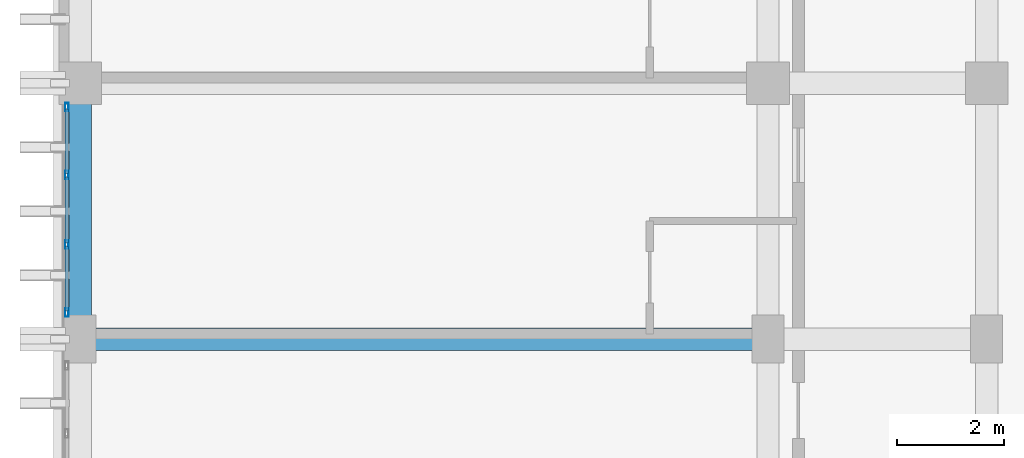
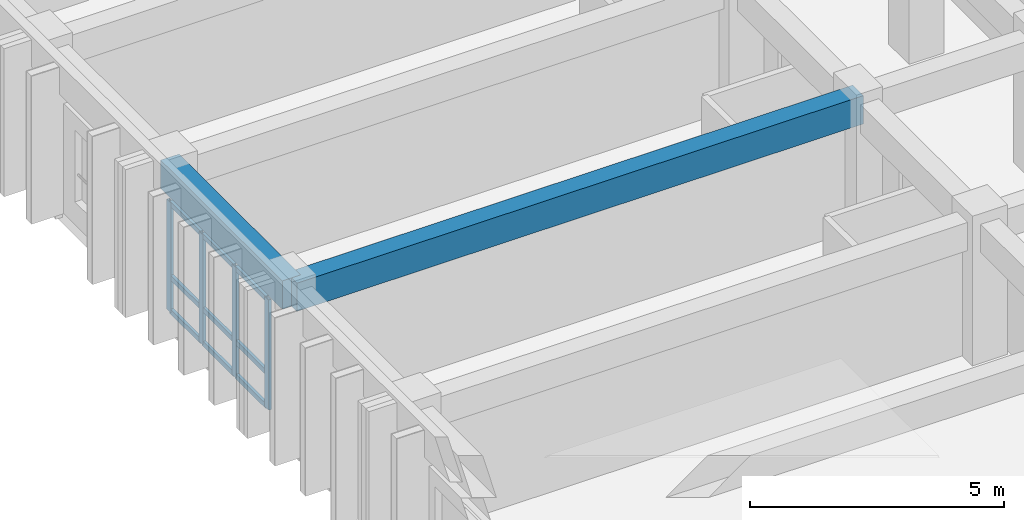
# One storey, part 8 of 82: 13 members, 2 beams, 1 element without a shape of its own.
"""IFC4 building model written with IfcOpenShell, lengths in metres."""

from ifc_helpers import new_model, si_unit, direction, frame, origin, origin_2d, place, context, subcontext, project, spatial, rectangle, hollow_rectangle, extrude, material, layer, layer_set, material_profile, profile_set, type_object, element, aggregate, save


model = new_model("IFC4")

# Units and contexts
model_context = context("Model", 3, precision=1e-05, world=origin(), true_north=direction((0.0, 1.0)))
body_context = subcontext(model_context, "Body", "Model", "MODEL_VIEW")
ifc_project = project(units=[si_unit("LENGTHUNIT", "METRE"), si_unit("AREAUNIT", "SQUARE_METRE"), si_unit("VOLUMEUNIT", "CUBIC_METRE"), si_unit("PLANEANGLEUNIT", "RADIAN"), si_unit("MASSUNIT", "GRAM", prefix="KILO")], contexts=[model_context])

# Site, building, storey
site_placement = place(None, origin())
site = spatial("IfcSite", under=ifc_project, at=site_placement, CompositionType="ELEMENT")
building_placement = place(site_placement, origin())
building = spatial("IfcBuilding", under=site, at=building_placement, Name="Nakhvara Creek Congress Hotel", CompositionType="ELEMENT")
storey_placement = place(building_placement, frame((0.0, 0.0, 21.0)))
storey = spatial("IfcBuildingStorey", under=building, at=storey_placement, Name="L04", CompositionType="ELEMENT", Elevation=21.0)

# Beams
ifc_material_1 = material(Name="Concrete C40/50", Category="concrete")
ifc_material_profile_1 = material_profile(ifc_material_1, rectangle(XDim=0.419921875, YDim=0.679931640625, at=origin_2d()), Name="RC-BM 420x680", Category="LoadBearing")
ifc_profile_set_1 = profile_set([ifc_material_profile_1], Name="Concrete C40/50")
beam_type = type_object("IfcBeamType", Name="BM-RC-420X680", PredefinedType="BEAM", material=ifc_profile_set_1)
beam_1_placement = place(storey_placement, frame((149.449951171875, 33.60009765625, 3.0), z_axis=(0.0, 1.0, 0.0), x_axis=(-1.0, 0.0, 0.0)))
element("IfcBeam", 1, at=beam_1_placement, inside=storey, type_object=beam_type, Name="Beam B11-L04-1915", PredefinedType="BEAM", context=body_context, shape_type="SweptSolid", body=[
    extrude(rectangle(XDim=0.419921875, YDim=0.679931640625, at=origin_2d()), origin(), (0.0, 0.0, 1.0), 4.7998046875),
])
beam_2_placement = place(storey_placement, frame((149.449951171875, 33.60009765625, 3.0), z_axis=(1.0, 0.0, 0.0), x_axis=(0.0, 1.0, 0.0)))
element("IfcBeam", 2, at=beam_2_placement, inside=storey, type_object=beam_type, Name="Beam B11-L04-2030", PredefinedType="BEAM", context=body_context, shape_type="SweptSolid", body=[
    extrude(rectangle(XDim=0.419921875, YDim=0.679931640625, at=origin_2d()), origin(), (0.0, 0.0, 1.0), 12.900146484375),
])

# Curtain wall, members
ifc_material_2 = material(Name="Bronze-anodised aluminium AW-6063-T6 and double-silver low-E glass", Category="aluminium")
ifc_layer = layer(ifc_material_2, 0.199951171875)
ifc_layer_set = layer_set([ifc_layer], Name="Bronze-anodised aluminium AW-6063-T6 and double-silver low-E glass")
curtain_wall_type = type_object("IfcCurtainWallType", Name="CW-HTL-UNIT", PredefinedType="USERDEFINED", material=ifc_layer_set)
curtain_wall_placement = place(storey_placement, origin())
curtain_wall = element("IfcCurtainWall", 3, at=curtain_wall_placement, inside=storey, type_object=curtain_wall_type, Name="Curtain Wall CW177", ObjectType="UNITISED", PredefinedType="USERDEFINED")
ifc_material_3 = material(Name="Bronze-anodised aluminium AW-6063-T6", Category="aluminium")
ifc_material_profile_2 = material_profile(ifc_material_3, hollow_rectangle(XDim=0.06494140625, YDim=0.159912109375, WallThickness=0.00390625, at=origin_2d()), Name="ALU-MULL 65x160x4", Category="LoadBearing")
ifc_profile_set_2 = profile_set([ifc_material_profile_2], Name="Bronze-anodised aluminium AW-6063-T6")
member_type_1 = type_object("IfcMemberType", Name="CW-MULL-160", PredefinedType="MULLION", material=ifc_profile_set_2)
member_1_placement = place(storey_placement, frame((149.199951171875, 34.097412109375, 0.0), z_axis=(0.0, 0.0, 1.0), x_axis=(-1.0, 0.0, 0.0)))
member_1 = element("IfcMember", 4, at=member_1_placement, type_object=member_type_1, Name="CW177 mullion 1", PredefinedType="MULLION", context=body_context, shape_type="SweptSolid", body=[
    extrude(hollow_rectangle(XDim=0.06494140625, YDim=0.159912109375, WallThickness=0.00390625, at=origin_2d()), origin(), (0.0, 0.0, 1.0), 2.652099609375),
])
member_2_placement = place(storey_placement, frame((149.199951171875, 35.37158203125, 0.0), z_axis=(0.0, 0.0, 1.0), x_axis=(-1.0, 0.0, 0.0)))
member_2 = element("IfcMember", 5, at=member_2_placement, type_object=member_type_1, Name="CW177 mullion 2", PredefinedType="MULLION", context=body_context, shape_type="SweptSolid", body=[
    extrude(hollow_rectangle(XDim=0.06494140625, YDim=0.159912109375, WallThickness=0.00390625, at=origin_2d()), origin(), (0.0, 0.0, 1.0), 2.652099609375),
])
member_3_placement = place(storey_placement, frame((149.199951171875, 36.67822265625, 0.0), z_axis=(0.0, 0.0, 1.0), x_axis=(-1.0, 0.0, 0.0)))
member_3 = element("IfcMember", 6, at=member_3_placement, type_object=member_type_1, Name="CW177 mullion 3", PredefinedType="MULLION", context=body_context, shape_type="SweptSolid", body=[
    extrude(hollow_rectangle(XDim=0.06494140625, YDim=0.159912109375, WallThickness=0.00390625, at=origin_2d()), origin(), (0.0, 0.0, 1.0), 2.652099609375),
])
member_4_placement = place(storey_placement, frame((149.199951171875, 37.952392578125, 0.0), z_axis=(0.0, 0.0, 1.0), x_axis=(-1.0, 0.0, 0.0)))
member_4 = element("IfcMember", 7, at=member_4_placement, type_object=member_type_1, Name="CW177 mullion 4", PredefinedType="MULLION", context=body_context, shape_type="SweptSolid", body=[
    extrude(hollow_rectangle(XDim=0.06494140625, YDim=0.159912109375, WallThickness=0.00390625, at=origin_2d()), origin(), (0.0, 0.0, 1.0), 2.652099609375),
])
ifc_material_profile_3 = material_profile(ifc_material_3, hollow_rectangle(XDim=0.06494140625, YDim=0.1201171875, WallThickness=0.00390625, at=origin_2d()), Name="ALU-TRAN 65x120x4", Category="LoadBearing")
ifc_profile_set_3 = profile_set([ifc_material_profile_3], Name="Bronze-anodised aluminium AW-6063-T6")
member_type_2 = type_object("IfcMemberType", Name="CW-TRAN-120", PredefinedType="USERDEFINED", material=ifc_profile_set_3)
member_5_placement = place(storey_placement, frame((149.199951171875, 34.1298828125, 0.032470703125), z_axis=(0.0, 1.0, 0.0), x_axis=(-1.0, 0.0, 0.0)))
member_5 = element("IfcMember", 8, at=member_5_placement, type_object=member_type_2, Name="CW177 transom 1.1", ObjectType="TRANSOM", PredefinedType="USERDEFINED", context=body_context, shape_type="SweptSolid", body=[
    extrude(hollow_rectangle(XDim=0.06494140625, YDim=0.1201171875, WallThickness=0.00390625, at=origin_2d()), origin(), (0.0, 0.0, 1.0), 1.209228515625),
])
member_6_placement = place(storey_placement, frame((149.199951171875, 34.1298828125, 0.85009765625), z_axis=(0.0, 1.0, 0.0), x_axis=(-1.0, 0.0, 0.0)))
member_6 = element("IfcMember", 9, at=member_6_placement, type_object=member_type_2, Name="CW177 transom 1.2", ObjectType="TRANSOM", PredefinedType="USERDEFINED", context=body_context, shape_type="SweptSolid", body=[
    extrude(hollow_rectangle(XDim=0.06494140625, YDim=0.1201171875, WallThickness=0.00390625, at=origin_2d()), origin(), (0.0, 0.0, 1.0), 1.209228515625),
])
member_7_placement = place(storey_placement, frame((149.199951171875, 34.1298828125, 2.619384765625), z_axis=(0.0, 1.0, 0.0), x_axis=(-1.0, 0.0, 0.0)))
member_7 = element("IfcMember", 10, at=member_7_placement, type_object=member_type_2, Name="CW177 transom 1.3", ObjectType="TRANSOM", PredefinedType="USERDEFINED", context=body_context, shape_type="SweptSolid", body=[
    extrude(hollow_rectangle(XDim=0.06494140625, YDim=0.1201171875, WallThickness=0.00390625, at=origin_2d()), origin(), (0.0, 0.0, 1.0), 1.209228515625),
])
member_8_placement = place(storey_placement, frame((149.199951171875, 35.404052734375, 0.032470703125), z_axis=(0.0, 1.0, 0.0), x_axis=(-1.0, 0.0, 0.0)))
member_8 = element("IfcMember", 11, at=member_8_placement, type_object=member_type_2, Name="CW177 transom 2.1", ObjectType="TRANSOM", PredefinedType="USERDEFINED", context=body_context, shape_type="SweptSolid", body=[
    extrude(hollow_rectangle(XDim=0.06494140625, YDim=0.1201171875, WallThickness=0.00390625, at=origin_2d()), origin(), (0.0, 0.0, 1.0), 1.24169921875),
])
member_9_placement = place(storey_placement, frame((149.199951171875, 35.404052734375, 0.85009765625), z_axis=(0.0, 1.0, 0.0), x_axis=(-1.0, 0.0, 0.0)))
member_9 = element("IfcMember", 12, at=member_9_placement, type_object=member_type_2, Name="CW177 transom 2.2", ObjectType="TRANSOM", PredefinedType="USERDEFINED", context=body_context, shape_type="SweptSolid", body=[
    extrude(hollow_rectangle(XDim=0.06494140625, YDim=0.1201171875, WallThickness=0.00390625, at=origin_2d()), origin(), (0.0, 0.0, 1.0), 1.24169921875),
])
member_10_placement = place(storey_placement, frame((149.199951171875, 35.404052734375, 2.619384765625), z_axis=(0.0, 1.0, 0.0), x_axis=(-1.0, 0.0, 0.0)))
member_10 = element("IfcMember", 13, at=member_10_placement, type_object=member_type_2, Name="CW177 transom 2.3", ObjectType="TRANSOM", PredefinedType="USERDEFINED", context=body_context, shape_type="SweptSolid", body=[
    extrude(hollow_rectangle(XDim=0.06494140625, YDim=0.1201171875, WallThickness=0.00390625, at=origin_2d()), origin(), (0.0, 0.0, 1.0), 1.24169921875),
])
member_11_placement = place(storey_placement, frame((149.199951171875, 36.7109375, 0.032470703125), z_axis=(0.0, 1.0, 0.0), x_axis=(-1.0, 0.0, 0.0)))
member_11 = element("IfcMember", 14, at=member_11_placement, type_object=member_type_2, Name="CW177 transom 3.1", ObjectType="TRANSOM", PredefinedType="USERDEFINED", context=body_context, shape_type="SweptSolid", body=[
    extrude(hollow_rectangle(XDim=0.06494140625, YDim=0.1201171875, WallThickness=0.00390625, at=origin_2d()), origin(), (0.0, 0.0, 1.0), 1.208984375),
])
member_12_placement = place(storey_placement, frame((149.199951171875, 36.7109375, 0.85009765625), z_axis=(0.0, 1.0, 0.0), x_axis=(-1.0, 0.0, 0.0)))
member_12 = element("IfcMember", 15, at=member_12_placement, type_object=member_type_2, Name="CW177 transom 3.2", ObjectType="TRANSOM", PredefinedType="USERDEFINED", context=body_context, shape_type="SweptSolid", body=[
    extrude(hollow_rectangle(XDim=0.06494140625, YDim=0.1201171875, WallThickness=0.00390625, at=origin_2d()), origin(), (0.0, 0.0, 1.0), 1.208984375),
])
member_13_placement = place(storey_placement, frame((149.199951171875, 36.7109375, 2.619384765625), z_axis=(0.0, 1.0, 0.0), x_axis=(-1.0, 0.0, 0.0)))
member_13 = element("IfcMember", 16, at=member_13_placement, type_object=member_type_2, Name="CW177 transom 3.3", ObjectType="TRANSOM", PredefinedType="USERDEFINED", context=body_context, shape_type="SweptSolid", body=[
    extrude(hollow_rectangle(XDim=0.06494140625, YDim=0.1201171875, WallThickness=0.00390625, at=origin_2d()), origin(), (0.0, 0.0, 1.0), 1.208984375),
])
aggregate(curtain_wall, [member_1, member_2, member_3, member_4, member_5, member_6, member_7, member_8, member_9, member_10, member_11, member_12, member_13])

save(model, "model.ifc")
